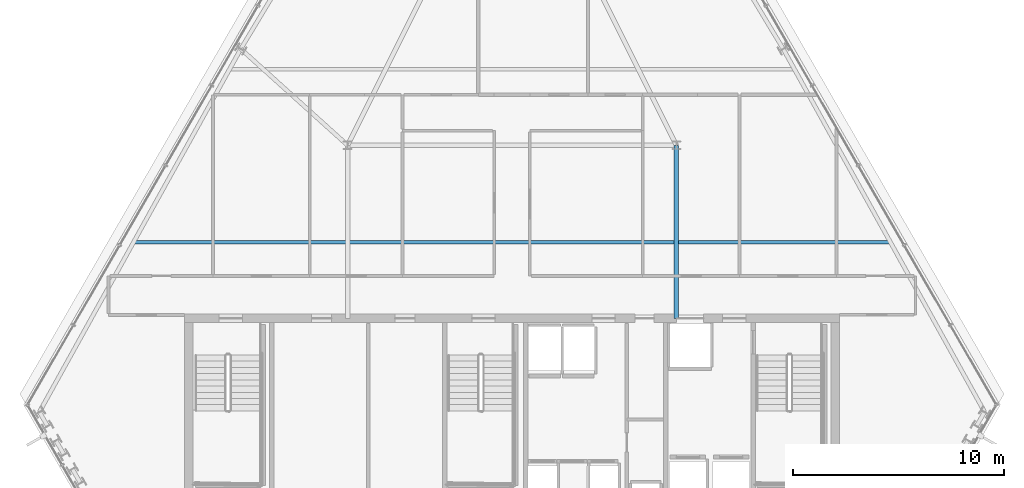
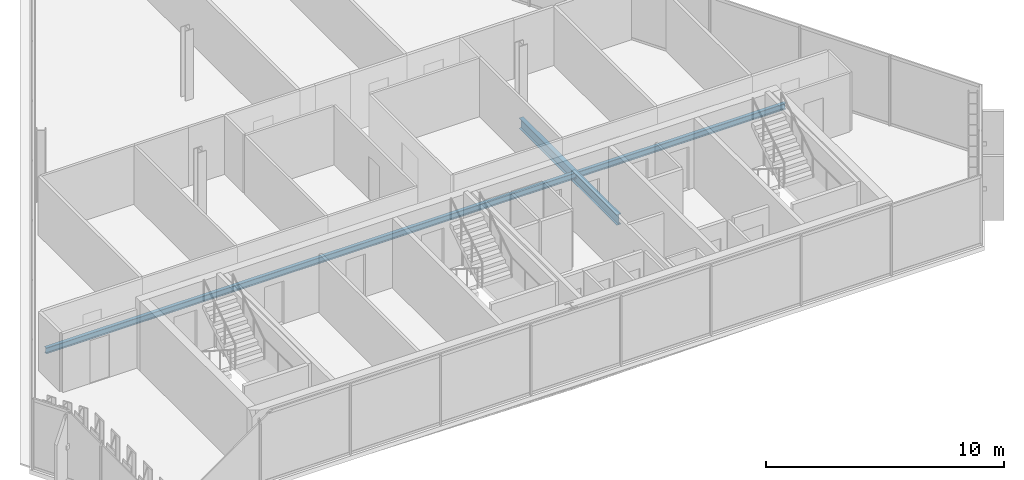
# One storey, part 9 of 29: 2 beams.
"""IFC4 building model written with IfcOpenShell, lengths in metres."""

from ifc_helpers import new_model, si_unit, direction, frame, origin, origin_2d, place, context, subcontext, project, spatial, i_section, extrude, material, material_profile, profile_set, type_object, element, save


model = new_model("IFC4")

# Units and contexts
model_context = context("Model", 3, precision=1e-05, world=origin(), true_north=direction((0.0, 1.0)))
body_context = subcontext(model_context, "Body", "Model", "MODEL_VIEW")
ifc_project = project(units=[si_unit("LENGTHUNIT", "METRE"), si_unit("AREAUNIT", "SQUARE_METRE"), si_unit("VOLUMEUNIT", "CUBIC_METRE"), si_unit("PLANEANGLEUNIT", "RADIAN"), si_unit("MASSUNIT", "GRAM", prefix="KILO")], contexts=[model_context])

# Site, building, storey
site_placement = place(None, origin())
site = spatial("IfcSite", under=ifc_project, at=site_placement, CompositionType="ELEMENT")
building_placement = place(site_placement, origin())
building = spatial("IfcBuilding", under=site, at=building_placement, Name="Ndaravel Arena Tower", CompositionType="ELEMENT")
storey_placement = place(building_placement, frame((0.0, 0.0, 240.800048828125)))
storey = spatial("IfcBuildingStorey", under=building, at=storey_placement, Name="L58", CompositionType="ELEMENT", Elevation=240.800048828125)

# Beams
ifc_material_1 = material(Name="Steel S355", Category="steel")
ifc_material_profile_1 = material_profile(ifc_material_1, i_section(OverallWidth=0.210693359375, OverallDepth=0.53955078125, WebThickness=0.01171875, FlangeThickness=0.018798828125, FilletRadius=0.0126953125, at=origin_2d()), Name="UB 533x210x109")
ifc_profile_set_1 = profile_set([ifc_material_profile_1], Name="Steel S355")
beam_type_1 = type_object("IfcBeamType", Name="BM-GIRD-UB533", PredefinedType="BEAM", material=ifc_profile_set_1)
beam_1_placement = place(storey_placement, frame((49.800048828125, 14.97998046875, -0.48974609375), z_axis=(0.0, 1.0, 0.0), x_axis=(-1.0, 0.0, 0.0)))
element("IfcBeam", 1, at=beam_1_placement, inside=storey, type_object=beam_type_1, Name="L58 Spine Link Girder SLG-02", PredefinedType="BEAM", context=body_context, shape_type="SweptSolid", body=[
    extrude(i_section(OverallWidth=0.210693359375, OverallDepth=0.53955078125, WebThickness=0.01171875, FlangeThickness=0.018798828125, FilletRadius=0.0126953125, at=origin_2d()), origin(), (0.0, 0.0, 1.0), 8.219970703125),
])
ifc_material_2 = material(Name="Steel S355", Category="steel")
ifc_material_profile_2 = material_profile(ifc_material_2, i_section(OverallWidth=0.165771484375, OverallDepth=0.306640625, WebThickness=0.006591796875, FlangeThickness=0.01171875, FilletRadius=0.0087890625, at=origin_2d()), Name="UB 305x165x46")
ifc_profile_set_2 = profile_set([ifc_material_profile_2], Name="Steel S355")
beam_type_2 = type_object("IfcBeamType", Name="BM-JOIST-UB305", PredefinedType="JOIST", material=ifc_profile_set_2)
beam_2_placement = place(storey_placement, frame((24.037353515625, 18.60009765625, -0.373291015625), z_axis=(1.0, 0.0, 0.0), x_axis=(0.0, 1.0, 0.0)))
element("IfcBeam", 2, at=beam_2_placement, inside=storey, type_object=beam_type_2, Name="L58 Composite Floor Joist FJ-01", PredefinedType="JOIST", context=body_context, shape_type="SweptSolid", body=[
    extrude(i_section(OverallWidth=0.165771484375, OverallDepth=0.306640625, WebThickness=0.006591796875, FlangeThickness=0.01171875, FilletRadius=0.0087890625, at=origin_2d()), origin(), (0.0, 0.0, 1.0), 35.92529296875),
])

save(model, "model.ifc")
